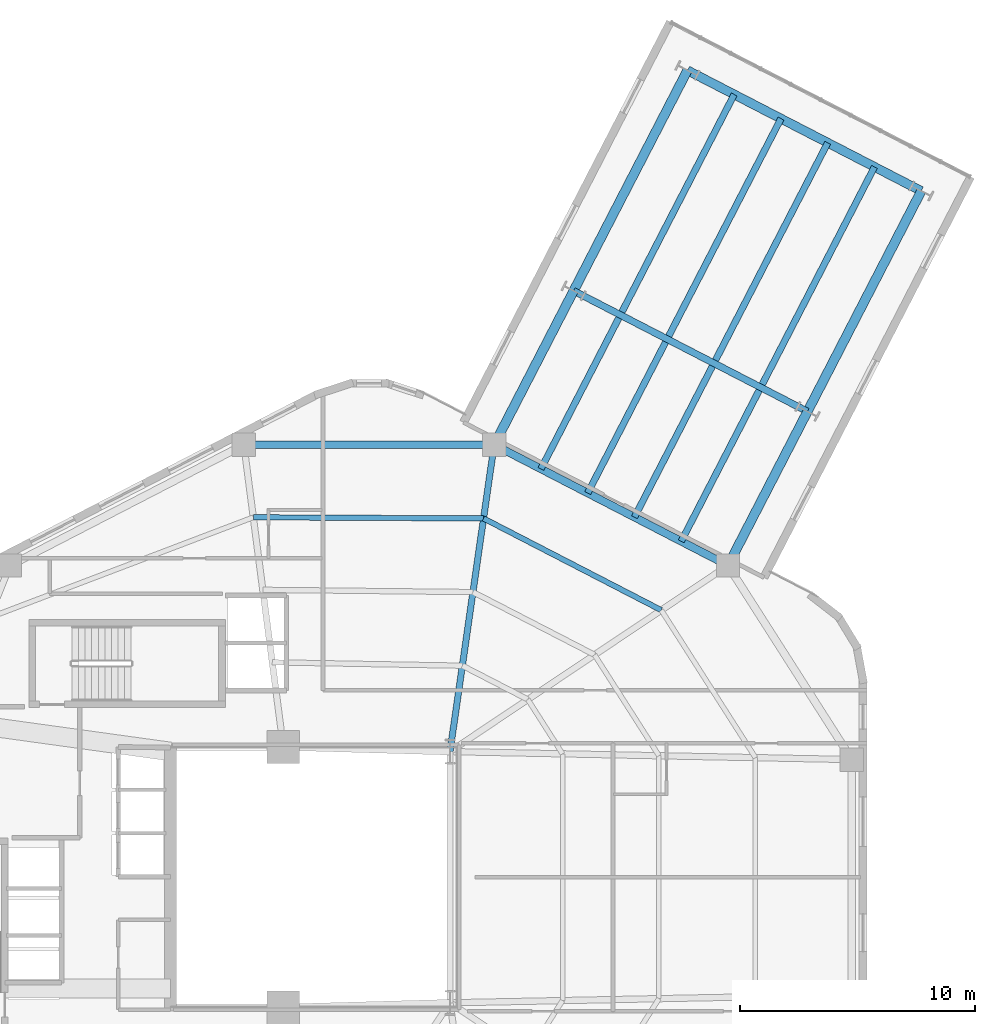
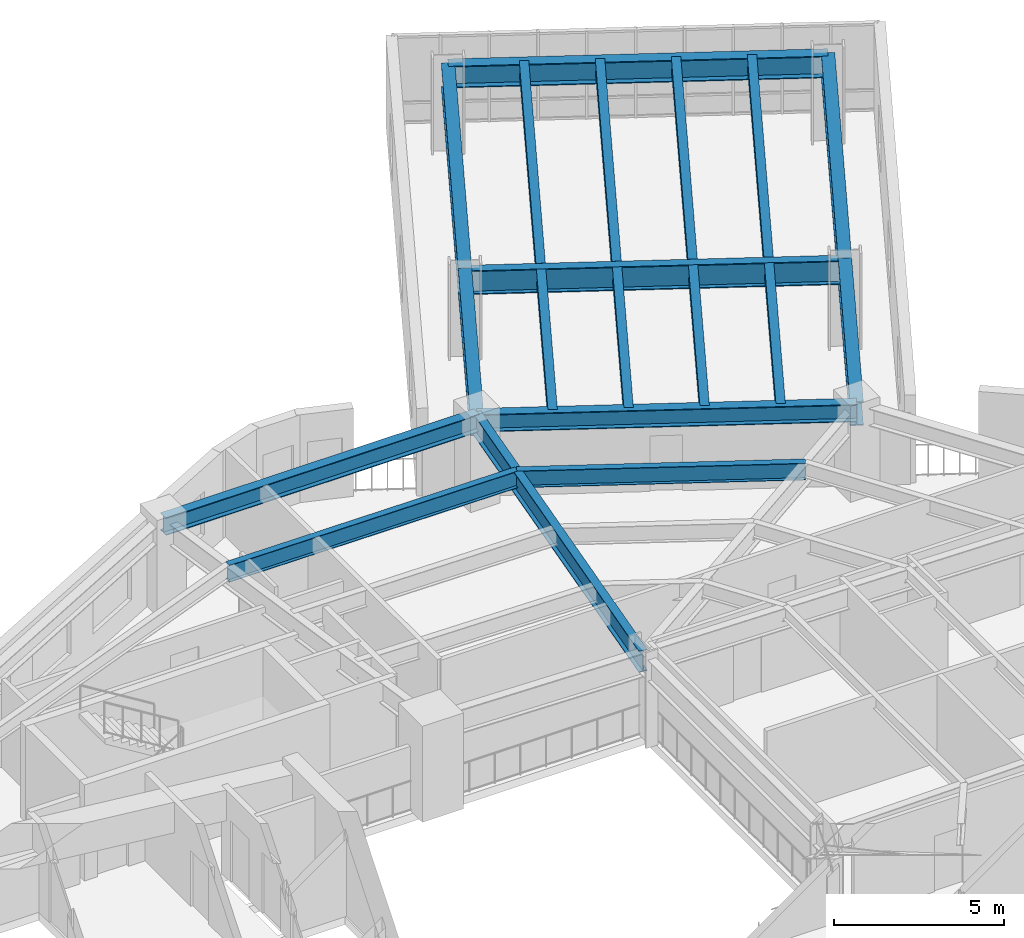
# One storey, part 2 of 10: 19 beams.
"""IFC4 building model written with IfcOpenShell, lengths in metres."""

from ifc_helpers import new_model, si_unit, direction, frame, origin, origin_2d, place, context, subcontext, project, spatial, i_section, extrude, material, material_profile, profile_set, type_object, element, save


model = new_model("IFC4")

# Units and contexts
model_context = context("Model", 3, precision=1e-05, world=origin(), true_north=direction((0.0, 1.0)))
body_context = subcontext(model_context, "Body", "Model", "MODEL_VIEW")
ifc_project = project(units=[si_unit("LENGTHUNIT", "METRE"), si_unit("AREAUNIT", "SQUARE_METRE"), si_unit("VOLUMEUNIT", "CUBIC_METRE"), si_unit("PLANEANGLEUNIT", "RADIAN"), si_unit("MASSUNIT", "GRAM", prefix="KILO"), si_unit("THERMODYNAMICTEMPERATUREUNIT", "KELVIN"), si_unit("POWERUNIT", "WATT")], contexts=[model_context])

# Site, building, storey
site_placement = place(None, origin())
site = spatial("IfcSite", under=ifc_project, at=site_placement, CompositionType="ELEMENT")
building_placement = place(site_placement, origin())
building = spatial("IfcBuilding", under=site, at=building_placement, Name="Skarre Station Tower", CompositionType="ELEMENT")
storey_placement = place(building_placement, frame((0.0, 0.0, 111.89990234375)))
storey = spatial("IfcBuildingStorey", under=building, at=storey_placement, Name="L29", CompositionType="ELEMENT", Elevation=111.89990234375)

# Beams
ifc_material = material(Name="Steel ASTM A992 Grade 50", Category="steel")
ifc_material_profile_1 = material_profile(ifc_material, i_section(OverallWidth=0.26806640625, OverallDepth=0.77001953125, WebThickness=0.01611328125, FlangeThickness=0.02490234375, at=origin_2d()), Name="Steel ASTM A992 Grade 50")
ifc_profile_set_1 = profile_set([ifc_material_profile_1], Name="Steel ASTM A992 Grade 50")
beam_type_1 = type_object("IfcBeamType", Name="Steel Beam W30X132", PredefinedType="BEAM", material=ifc_profile_set_1)
beam_1_placement = place(storey_placement, frame((39.449951171875, 29.35009765625, 2.775146484375), z_axis=(0.142480121776, 0.989797663616, 0.0), x_axis=(-0.989797663616, 0.142480121776, 0.0)))
element("IfcBeam", 1, at=beam_1_placement, inside=storey, type_object=beam_type_1, Name="L29 Radial Floor Girder F0C2", PredefinedType="BEAM", context=body_context, shape_type="SweptSolid", body=[
    extrude(i_section(OverallWidth=0.26806640625, OverallDepth=0.77001953125, WebThickness=0.01611328125, FlangeThickness=0.02490234375, at=origin_2d()), origin(), (0.0, 0.0, 1.0), 13.20263671875),
])
ifc_material_profile_2 = material_profile(ifc_material, i_section(OverallWidth=0.2919921875, OverallDepth=0.85888671875, WebThickness=0.01708984375, FlangeThickness=0.031005859375, at=origin_2d()), Name="Steel ASTM A992 Grade 50")
ifc_profile_set_2 = profile_set([ifc_material_profile_2], Name="Steel ASTM A992 Grade 50")
beam_type_2 = type_object("IfcBeamType", Name="Steel Beam W33X169", PredefinedType="BEAM", material=ifc_profile_set_2)
beam_2_placement = place(storey_placement, frame((54.676025390625, 43.8349609375, 2.72998046875), z_axis=(-0.888602901775, 0.458677318991, 0.0), x_axis=(-0.458677318991, -0.888602901775, 0.0)))
element("IfcBeam", 2, at=beam_2_placement, inside=storey, type_object=beam_type_2, Name="L29 SB-2 Mid Transverse Girder", PredefinedType="BEAM", context=body_context, shape_type="SweptSolid", body=[
    extrude(i_section(OverallWidth=0.2919921875, OverallDepth=0.85888671875, WebThickness=0.01708984375, FlangeThickness=0.031005859375, at=origin_2d()), origin(), (0.0, 0.0, 1.0), 11.20849609375),
])
ifc_material_profile_3 = material_profile(ifc_material, i_section(OverallWidth=0.40087890625, OverallDepth=0.876953125, WebThickness=0.02197265625, FlangeThickness=0.0400390625, at=origin_2d()), Name="Steel ASTM A992 Grade 50")
ifc_profile_set_3 = profile_set([ifc_material_profile_3], Name="Steel ASTM A992 Grade 50")
beam_type_3 = type_object("IfcBeamType", Name="Steel Beam W33X263", PredefinedType="BEAM", material=ifc_profile_set_3)
beam_3_placement = place(storey_placement, frame((51.291015625, 37.277099609375, 2.72119140625), z_axis=(0.45867578355, 0.888603694334, 0.0), x_axis=(-0.888603694334, 0.45867578355, 0.0)))
element("IfcBeam", 3, at=beam_3_placement, inside=storey, type_object=beam_type_3, Name="L29 SB-2 Side 1 Inner Girder", PredefinedType="BEAM", context=body_context, shape_type="SweptSolid", body=[
    extrude(i_section(OverallWidth=0.40087890625, OverallDepth=0.876953125, WebThickness=0.02197265625, FlangeThickness=0.0400390625, at=origin_2d()), origin(), (0.0, 0.0, 1.0), 7.3798828125),
])
beam_4_placement = place(storey_placement, frame((54.676025390625, 43.8349609375, 2.72119140625), z_axis=(0.458670573437, 0.88860638365, 0.0), x_axis=(-0.88860638365, 0.458670573437, 0.0)))
element("IfcBeam", 4, at=beam_4_placement, inside=storey, type_object=beam_type_3, Name="L29 SB-2 Side 1 Outer Girder", PredefinedType="BEAM", context=body_context, shape_type="SweptSolid", body=[
    extrude(i_section(OverallWidth=0.40087890625, OverallDepth=0.876953125, WebThickness=0.02197265625, FlangeThickness=0.0400390625, at=origin_2d()), origin(), (0.0, 0.0, 1.0), 10.569580078125),
])
beam_5_placement = place(storey_placement, frame((41.3310546875, 42.41796875, 2.72119140625), z_axis=(0.45866230048, 0.88861065384, 0.0), x_axis=(-0.88861065384, 0.45866230048, 0.0)))
element("IfcBeam", 5, at=beam_5_placement, inside=storey, type_object=beam_type_3, Name="L29 SB-2 Side 2 Inner Girder", PredefinedType="BEAM", context=body_context, shape_type="SweptSolid", body=[
    extrude(i_section(OverallWidth=0.40087890625, OverallDepth=0.876953125, WebThickness=0.02197265625, FlangeThickness=0.0400390625, at=origin_2d()), origin(), (0.0, 0.0, 1.0), 7.380126953125),
])
beam_6_placement = place(storey_placement, frame((44.716064453125, 48.97607421875, 2.72119140625), z_axis=(0.458679988111, 0.888601524029, 0.0), x_axis=(-0.888601524029, 0.458679988111, 0.0)))
element("IfcBeam", 6, at=beam_6_placement, inside=storey, type_object=beam_type_3, Name="L29 SB-2 Side 2 Outer Girder", PredefinedType="BEAM", context=body_context, shape_type="SweptSolid", body=[
    extrude(i_section(OverallWidth=0.40087890625, OverallDepth=0.876953125, WebThickness=0.02197265625, FlangeThickness=0.0400390625, at=origin_2d()), origin(), (0.0, 0.0, 1.0), 10.5693359375),
])
ifc_material_profile_4 = material_profile(ifc_material, i_section(OverallWidth=0.280029296875, OverallDepth=0.462890625, WebThickness=0.010986328125, FlangeThickness=0.01708984375, at=origin_2d()), Name="Steel ASTM A992 Grade 50")
ifc_profile_set_4 = profile_set([ifc_material_profile_4], Name="Steel ASTM A992 Grade 50")
beam_type_4 = type_object("IfcBeamType", Name="Steel Joist W18X76", PredefinedType="JOIST", material=ifc_profile_set_4)
beam_7_placement = place(storey_placement, frame((49.299072265625, 38.304931640625, 2.92919921875), z_axis=(0.458648076258, 0.888617995623, 0.0), x_axis=(-0.888617995623, 0.458648076258, 0.0)))
element("IfcBeam", 7, at=beam_7_placement, inside=storey, type_object=beam_type_4, Name="L29 SB-2 Inner Deck Joist 1", PredefinedType="JOIST", context=body_context, shape_type="SweptSolid", body=[
    extrude(i_section(OverallWidth=0.280029296875, OverallDepth=0.462890625, WebThickness=0.010986328125, FlangeThickness=0.01708984375, at=origin_2d()), origin(), (0.0, 0.0, 1.0), 7.236083984375),
])
beam_8_placement = place(storey_placement, frame((52.75, 44.990966796875, 2.92919921875), z_axis=(0.458688850813, 0.888596949207, 0.0), x_axis=(-0.888596949207, 0.458688850813, 0.0)))
element("IfcBeam", 8, at=beam_8_placement, inside=storey, type_object=beam_type_4, Name="L29 SB-2 Outer Deck Joist 1", PredefinedType="JOIST", context=body_context, shape_type="SweptSolid", body=[
    extrude(i_section(OverallWidth=0.280029296875, OverallDepth=0.462890625, WebThickness=0.010986328125, FlangeThickness=0.01708984375, at=origin_2d()), origin(), (0.0, 0.0, 1.0), 10.42529296875),
])
beam_9_placement = place(storey_placement, frame((47.306884765625, 39.3330078125, 2.92919921875), z_axis=(0.458688468876, 0.888597146361, 0.0), x_axis=(-0.888597146361, 0.458688468876, 0.0)))
element("IfcBeam", 9, at=beam_9_placement, inside=storey, type_object=beam_type_4, Name="L29 SB-2 Inner Deck Joist 2", PredefinedType="JOIST", context=body_context, shape_type="SweptSolid", body=[
    extrude(i_section(OverallWidth=0.280029296875, OverallDepth=0.462890625, WebThickness=0.010986328125, FlangeThickness=0.01708984375, at=origin_2d()), origin(), (0.0, 0.0, 1.0), 7.236083984375),
])
beam_10_placement = place(storey_placement, frame((50.758056640625, 46.01904296875, 2.92919921875), z_axis=(0.458688850813, 0.888596949207, 0.0), x_axis=(-0.888596949207, 0.458688850813, 0.0)))
element("IfcBeam", 10, at=beam_10_placement, inside=storey, type_object=beam_type_4, Name="L29 SB-2 Outer Deck Joist 2", PredefinedType="JOIST", context=body_context, shape_type="SweptSolid", body=[
    extrude(i_section(OverallWidth=0.280029296875, OverallDepth=0.462890625, WebThickness=0.010986328125, FlangeThickness=0.01708984375, at=origin_2d()), origin(), (0.0, 0.0, 1.0), 10.42529296875),
])
beam_11_placement = place(storey_placement, frame((45.31494140625, 40.362060546875, 2.92919921875), z_axis=(0.458688468876, 0.888597146361, 0.0), x_axis=(-0.888597146361, 0.458688468876, 0.0)))
element("IfcBeam", 11, at=beam_11_placement, inside=storey, type_object=beam_type_4, Name="L29 SB-2 Inner Deck Joist 3", PredefinedType="JOIST", context=body_context, shape_type="SweptSolid", body=[
    extrude(i_section(OverallWidth=0.280029296875, OverallDepth=0.462890625, WebThickness=0.010986328125, FlangeThickness=0.01708984375, at=origin_2d()), origin(), (0.0, 0.0, 1.0), 7.236083984375),
])
beam_12_placement = place(storey_placement, frame((48.76611328125, 47.048095703125, 2.92919921875), z_axis=(0.458688850813, 0.888596949207, 0.0), x_axis=(-0.888596949207, 0.458688850813, 0.0)))
element("IfcBeam", 12, at=beam_12_placement, inside=storey, type_object=beam_type_4, Name="L29 SB-2 Outer Deck Joist 3", PredefinedType="JOIST", context=body_context, shape_type="SweptSolid", body=[
    extrude(i_section(OverallWidth=0.280029296875, OverallDepth=0.462890625, WebThickness=0.010986328125, FlangeThickness=0.01708984375, at=origin_2d()), origin(), (0.0, 0.0, 1.0), 10.42529296875),
])
beam_13_placement = place(storey_placement, frame((43.322998046875, 41.389892578125, 2.92919921875), z_axis=(0.458674717376, 0.888604244667, 0.0), x_axis=(-0.888604244667, 0.458674717376, 0.0)))
element("IfcBeam", 13, at=beam_13_placement, inside=storey, type_object=beam_type_4, Name="L29 SB-2 Inner Deck Joist 4", PredefinedType="JOIST", context=body_context, shape_type="SweptSolid", body=[
    extrude(i_section(OverallWidth=0.280029296875, OverallDepth=0.462890625, WebThickness=0.010986328125, FlangeThickness=0.01708984375, at=origin_2d()), origin(), (0.0, 0.0, 1.0), 7.236328125),
])
beam_14_placement = place(storey_placement, frame((46.77392578125, 48.075927734375, 2.92919921875), z_axis=(0.458679306044, 0.888601876099, 0.0), x_axis=(-0.888601876099, 0.458679306044, 0.0)))
element("IfcBeam", 14, at=beam_14_placement, inside=storey, type_object=beam_type_4, Name="L29 SB-2 Outer Deck Joist 4", PredefinedType="JOIST", context=body_context, shape_type="SweptSolid", body=[
    extrude(i_section(OverallWidth=0.280029296875, OverallDepth=0.462890625, WebThickness=0.010986328125, FlangeThickness=0.01708984375, at=origin_2d()), origin(), (0.0, 0.0, 1.0), 10.425537109375),
])
ifc_material_profile_5 = material_profile(ifc_material, i_section(OverallWidth=0.22802734375, OverallDepth=0.60791015625, WebThickness=0.010986328125, FlangeThickness=0.01708984375, at=origin_2d()), Name="Steel ASTM A992 Grade 50")
ifc_profile_set_5 = profile_set([ifc_material_profile_5], Name="Steel ASTM A992 Grade 50")
beam_type_5 = type_object("IfcBeamType", Name="Steel Joist W24X76", PredefinedType="JOIST", material=ifc_profile_set_5)
beam_15_placement = place(storey_placement, frame((48.448974609375, 35.375, 2.856201171875), z_axis=(-0.888603699553, 0.45867577344, 0.0), x_axis=(-0.45867577344, -0.888603699553, 0.0)))
element("IfcBeam", 15, at=beam_15_placement, inside=storey, type_object=beam_type_5, Name="L29 Secondary Floor Joist 3", PredefinedType="JOIST", context=body_context, shape_type="SweptSolid", body=[
    extrude(i_section(OverallWidth=0.22802734375, OverallDepth=0.60791015625, WebThickness=0.010986328125, FlangeThickness=0.01708984375, at=origin_2d()), origin(), (0.0, 0.0, 1.0), 8.51806640625),
])
beam_16_placement = place(storey_placement, frame((40.8798828125, 39.281982421875, 2.856201171875), z_axis=(-0.999987976633, 0.004903732143, 0.0), x_axis=(-0.004903732143, -0.999987976633, 0.0)))
element("IfcBeam", 16, at=beam_16_placement, inside=storey, type_object=beam_type_5, Name="L29 Secondary Floor Joist 6", PredefinedType="JOIST", context=body_context, shape_type="SweptSolid", body=[
    extrude(i_section(OverallWidth=0.22802734375, OverallDepth=0.60791015625, WebThickness=0.010986328125, FlangeThickness=0.01708984375, at=origin_2d()), origin(), (0.0, 0.0, 1.0), 9.807861328125),
])
ifc_material_profile_6 = material_profile(ifc_material, i_section(OverallWidth=0.327880859375, OverallDepth=0.6279296875, WebThickness=0.01708984375, FlangeThickness=0.028076171875, at=origin_2d()), Name="Steel ASTM A992 Grade 50")
ifc_profile_set_6 = profile_set([ifc_material_profile_6], Name="Steel ASTM A992 Grade 50")
beam_type_6 = type_object("IfcBeamType", Name="Steel Spandrel W24X146", PredefinedType="SPANDREL", material=ifc_profile_set_6)
beam_17_placement = place(storey_placement, frame((51.291015625, 37.277099609375, 2.84619140625), z_axis=(-0.888611779493, 0.458660119639, 0.0), x_axis=(-0.458660119639, -0.888611779493, 0.0)))
element("IfcBeam", 17, at=beam_17_placement, inside=storey, type_object=beam_type_6, Name="L29 Facet Spandrel Beam 1", PredefinedType="SPANDREL", context=body_context, shape_type="SweptSolid", body=[
    extrude(i_section(OverallWidth=0.327880859375, OverallDepth=0.6279296875, WebThickness=0.01708984375, FlangeThickness=0.028076171875, at=origin_2d()), origin(), (0.0, 0.0, 1.0), 11.20849609375),
])
beam_18_placement = place(storey_placement, frame((41.3310546875, 42.41796875, 2.84619140625), z_axis=(-1.0, 0.0, 0.0), x_axis=(0.0, -1.0, 0.0)))
element("IfcBeam", 18, at=beam_18_placement, inside=storey, type_object=beam_type_6, Name="L29 Facet Spandrel Beam 2", PredefinedType="SPANDREL", context=body_context, shape_type="SweptSolid", body=[
    extrude(i_section(OverallWidth=0.327880859375, OverallDepth=0.6279296875, WebThickness=0.01708984375, FlangeThickness=0.028076171875, at=origin_2d()), origin(), (0.0, 0.0, 1.0), 10.662109375),
])
ifc_material_profile_7 = material_profile(ifc_material, i_section(OverallWidth=0.384033203125, OverallDepth=0.785888671875, WebThickness=0.02001953125, FlangeThickness=0.032958984375, at=origin_2d()), Name="Steel ASTM A992 Grade 50")
ifc_profile_set_7 = profile_set([ifc_material_profile_7], Name="Steel ASTM A992 Grade 50")
beam_type_7 = type_object("IfcBeamType", Name="Steel Spandrel W30X211", PredefinedType="SPANDREL", material=ifc_profile_set_7)
beam_19_placement = place(storey_placement, frame((59.52392578125, 53.22705078125, 2.76708984375), z_axis=(-0.888611779493, 0.458660119639, 0.0), x_axis=(-0.458660119639, -0.888611779493, 0.0)))
element("IfcBeam", 19, at=beam_19_placement, inside=storey, type_object=beam_type_7, Name="L29 SB-2 Prow Spandrel Girder", PredefinedType="SPANDREL", context=body_context, shape_type="SweptSolid", body=[
    extrude(i_section(OverallWidth=0.384033203125, OverallDepth=0.785888671875, WebThickness=0.02001953125, FlangeThickness=0.032958984375, at=origin_2d()), origin(), (0.0, 0.0, 1.0), 11.20849609375),
])

save(model, "model.ifc")
